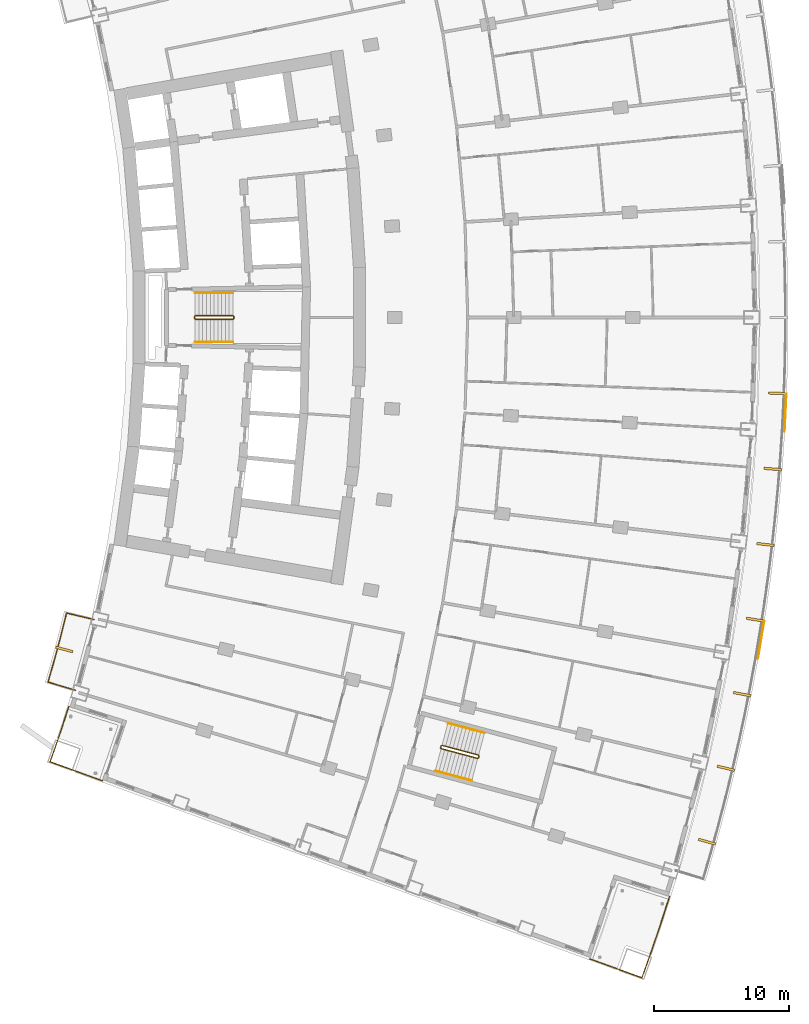
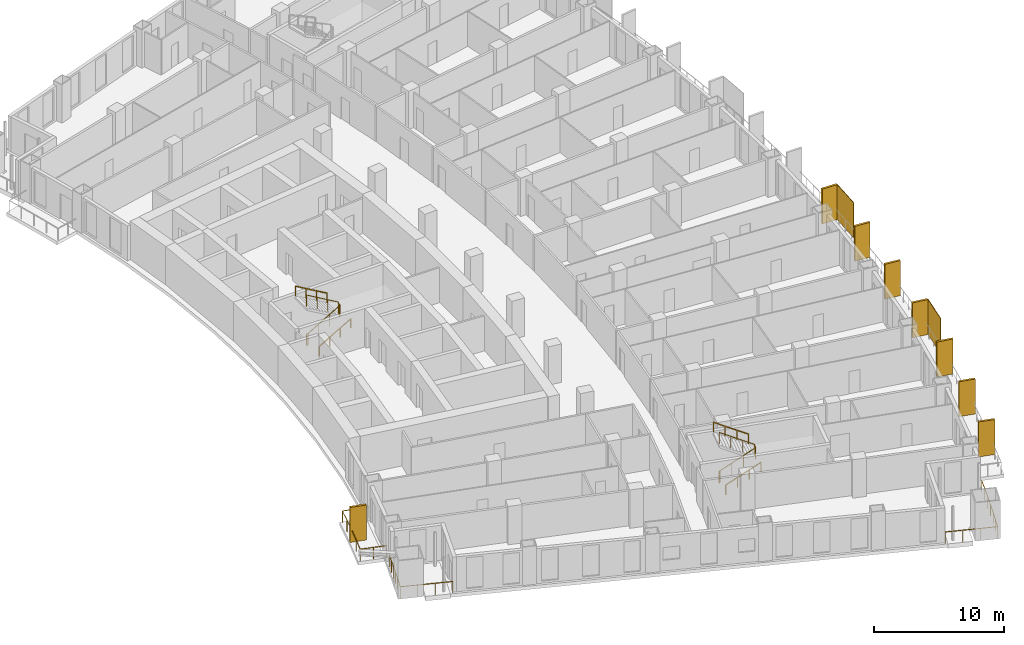
# One storey, part 23 of 25: 10 shading devices, 9 railings.
"""IFC4 building model written with IfcOpenShell, lengths in metres."""

from ifc_helpers import new_model, si_unit, direction, frame, origin, origin_with_axes, origin_2d, place, context, subcontext, project, spatial, rectangle, extrude, material, layer, layer_set, type_object, element, save


model = new_model("IFC4")

# Units and contexts
model_context = context("Model", 3, precision=1e-05, world=origin(), true_north=direction((0.0, 1.0)))
body_context = subcontext(model_context, "Body", "Model", "MODEL_VIEW")
ifc_project = project(units=[si_unit("LENGTHUNIT", "METRE"), si_unit("AREAUNIT", "SQUARE_METRE"), si_unit("VOLUMEUNIT", "CUBIC_METRE"), si_unit("PLANEANGLEUNIT", "RADIAN"), si_unit("MASSUNIT", "GRAM", prefix="KILO")], contexts=[model_context])

# Site, building, storey
site_placement = place(None, origin())
site = spatial("IfcSite", under=ifc_project, at=site_placement, CompositionType="ELEMENT")
building_placement = place(site_placement, origin())
building = spatial("IfcBuilding", under=site, at=building_placement, Name="Alderwake Tower", CompositionType="ELEMENT")
storey_placement = place(building_placement, frame((0.0, 0.0, 68.0)))
storey = spatial("IfcBuildingStorey", under=building, at=storey_placement, Name="L16", CompositionType="ELEMENT", Elevation=68.0)

# Railings
ifc_material_1 = material(Name="Stainless steel 316 rail and posts", Category="steel")
railing_type_1 = type_object("IfcRailingType", Name="Balcony guard 1100", PredefinedType="GUARDRAIL", material=ifc_material_1)
railing_1_placement = place(storey_placement, frame((12.16650390625, 33.435791015625, 0.0)))
element("IfcRailing", 1, at=railing_1_placement, inside=storey, type_object=railing_type_1, Name="Guard BR02", PredefinedType="GUARDRAIL", context=body_context, shape_type="SweptSolid", body=[
    extrude(rectangle(XDim=0.048095703125, YDim=0.048095703125, at=origin_2d()), frame((0.0, 0.0, 1.076171875), z_axis=(-0.958091458885, 0.286462486918, 0.0), x_axis=(-0.286462486918, -0.958091458885, 0.0)), (0.0, 0.0, 1.0), 2.099853515625),
    extrude(rectangle(XDim=0.048095703125, YDim=0.048095703125, at=origin_2d()), frame((-2.011962890625, 0.6015625, 1.076171875), z_axis=(0.279963157487, 0.960010744966, 0.0), x_axis=(-0.960010744966, 0.279963157487, 0.0)), (0.0, 0.0, 1.0), 1.272216796875),
    extrude(rectangle(XDim=0.048095703125, YDim=0.048095703125, at=origin_2d()), frame((-1.65576171875, 1.822998046875, 1.076171875), z_axis=(0.266487604617, 0.963838345671, 0.0), x_axis=(-0.963838345671, 0.266487604617, 0.0)), (0.0, 0.0, 1.0), 1.372314453125),
    extrude(rectangle(XDim=0.048095703125, YDim=0.048095703125, at=origin_2d()), frame((-1.2900390625, 3.145751953125, 1.076171875), z_axis=(0.252487086228, 0.967600264204, 0.0), x_axis=(-0.967600264204, 0.252487086228, 0.0)), (0.0, 0.0, 1.0), 1.3720703125),
    extrude(rectangle(XDim=0.048095703125, YDim=0.048095703125, at=origin_2d()), frame((-0.943603515625, 4.473388671875, 1.076171875), z_axis=(0.238877101641, 0.971049808358, 0.0), x_axis=(-0.971049808358, 0.238877101641, 0.0)), (0.0, 0.0, 1.0), 1.2724609375),
    extrude(rectangle(XDim=0.048095703125, YDim=0.048095703125, at=origin_2d()), frame((-0.6396484375, 5.708984375, 1.076171875), z_axis=(0.972646310656, -0.232291098337, 0.0), x_axis=(0.232291098337, 0.972646310656, 0.0)), (0.0, 0.0, 1.0), 2.099853515625),
    extrude(rectangle(XDim=0.0419921875, YDim=0.0419921875, at=origin_2d()), frame((0.0, 0.0, 0.0), z_axis=(0.0, 0.0, 1.0), x_axis=(-0.958091458885, 0.286462486918, 0.0)), (0.0, 0.0, 1.0), 1.052001953125),
    extrude(rectangle(XDim=0.0419921875, YDim=0.0419921875, at=origin_2d()), frame((-1.005859375, 0.30078125, 0.0), z_axis=(0.0, 0.0, 1.0), x_axis=(-0.958091458885, 0.286462486918, 0.0)), (0.0, 0.0, 1.0), 1.052001953125),
    extrude(rectangle(XDim=0.0419921875, YDim=0.0419921875, at=origin_2d()), frame((-2.011962890625, 0.6015625, 0.0), z_axis=(0.0, 0.0, 1.0), x_axis=(0.279963157487, 0.960010744966, 0.0)), (0.0, 0.0, 1.0), 1.052001953125),
    extrude(rectangle(XDim=0.0419921875, YDim=0.0419921875, at=origin_2d()), frame((-1.65576171875, 1.822998046875, 0.0), z_axis=(0.0, 0.0, 1.0), x_axis=(0.266487604617, 0.963838345671, 0.0)), (0.0, 0.0, 1.0), 1.052001953125),
    extrude(rectangle(XDim=0.0419921875, YDim=0.0419921875, at=origin_2d()), frame((-1.2900390625, 3.145751953125, 0.0), z_axis=(0.0, 0.0, 1.0), x_axis=(0.252487086228, 0.967600264204, 0.0)), (0.0, 0.0, 1.0), 1.052001953125),
    extrude(rectangle(XDim=0.0419921875, YDim=0.0419921875, at=origin_2d()), frame((-0.943603515625, 4.473388671875, 0.0), z_axis=(0.0, 0.0, 1.0), x_axis=(0.238877101641, 0.971049808358, 0.0)), (0.0, 0.0, 1.0), 1.052001953125),
    extrude(rectangle(XDim=0.0419921875, YDim=0.0419921875, at=origin_2d()), frame((-0.6396484375, 5.708984375, 0.0), z_axis=(0.0, 0.0, 1.0), x_axis=(0.972646310656, -0.232291098337, 0.0)), (0.0, 0.0, 1.0), 1.052001953125),
    extrude(rectangle(XDim=0.0419921875, YDim=0.0419921875, at=origin_2d()), frame((0.381591796875, 5.465087890625, 0.0), z_axis=(0.0, 0.0, 1.0), x_axis=(0.972646310656, -0.232291098337, 0.0)), (0.0, 0.0, 1.0), 1.052001953125),
    extrude(rectangle(XDim=0.0419921875, YDim=0.0419921875, at=origin_2d()), frame((1.40283203125, 5.22119140625, 0.0), z_axis=(0.0, 0.0, 1.0), x_axis=(0.972646310656, -0.232291098337, 0.0)), (0.0, 0.0, 1.0), 1.052001953125),
])
railing_2_placement = place(storey_placement, frame((56.12060546875, 18.168701171875, 0.0)))
element("IfcRailing", 2, at=railing_2_placement, inside=storey, type_object=railing_type_1, Name="Guard terrace FS", PredefinedType="GUARDRAIL", context=body_context, shape_type="SweptSolid", body=[
    extrude(rectangle(XDim=0.048095703125, YDim=0.048095703125, at=origin_2d()), frame((0.0, 0.0, 1.076171875), z_axis=(-0.307834534449, -0.951439908455, 0.0), x_axis=(0.951439908455, -0.307834534449, 0.0)), (0.0, 0.0, 1.0), 2.281005859375),
    extrude(rectangle(XDim=0.048095703125, YDim=0.048095703125, at=origin_2d()), frame((-0.7021484375, -2.170166015625, 1.076171875), z_axis=(-0.322274982341, -0.946646098475, 0.0), x_axis=(0.946646098475, -0.322274982341, 0.0)), (0.0, 0.0, 1.0), 2.0810546875),
    extrude(rectangle(XDim=0.048095703125, YDim=0.048095703125, at=origin_2d()), frame((-1.372802734375, -4.14013671875, 1.076171875), z_axis=(-0.335680571726, -0.941975877486, 0.0), x_axis=(0.941975877486, -0.335680571726, 0.0)), (0.0, 0.0, 1.0), 1.981201171875),
    extrude(rectangle(XDim=0.048095703125, YDim=0.048095703125, at=origin_2d()), frame((-2.037841796875, -6.00634765625, 1.076171875), z_axis=(-0.939605522223, 0.34225934992, 0.0), x_axis=(-0.34225934992, -0.939605522223, 0.0)), (0.0, 0.0, 1.0), 4.10009765625),
    extrude(rectangle(XDim=0.0419921875, YDim=0.0419921875, at=origin_2d()), frame((0.0, 0.0, 0.0), z_axis=(0.0, 0.0, 1.0), x_axis=(-0.307834534449, -0.951439908455, 0.0)), (0.0, 0.0, 1.0), 1.052001953125),
    extrude(rectangle(XDim=0.0419921875, YDim=0.0419921875, at=origin_2d()), frame((-0.35107421875, -1.0849609375, 0.0), z_axis=(0.0, 0.0, 1.0), x_axis=(-0.307834534449, -0.951439908455, 0.0)), (0.0, 0.0, 1.0), 1.052001953125),
    extrude(rectangle(XDim=0.0419921875, YDim=0.0419921875, at=origin_2d()), frame((-0.7021484375, -2.170166015625, 0.0), z_axis=(0.0, 0.0, 1.0), x_axis=(-0.322274982341, -0.946646098475, 0.0)), (0.0, 0.0, 1.0), 1.052001953125),
    extrude(rectangle(XDim=0.0419921875, YDim=0.0419921875, at=origin_2d()), frame((-1.03759765625, -3.1552734375, 0.0), z_axis=(0.0, 0.0, 1.0), x_axis=(-0.322274982341, -0.946646098475, 0.0)), (0.0, 0.0, 1.0), 1.052001953125),
    extrude(rectangle(XDim=0.0419921875, YDim=0.0419921875, at=origin_2d()), frame((-1.372802734375, -4.14013671875, 0.0), z_axis=(0.0, 0.0, 1.0), x_axis=(-0.335680571726, -0.941975877486, 0.0)), (0.0, 0.0, 1.0), 1.052001953125),
    extrude(rectangle(XDim=0.0419921875, YDim=0.0419921875, at=origin_2d()), frame((-1.705322265625, -5.0732421875, 0.0), z_axis=(0.0, 0.0, 1.0), x_axis=(-0.335680571726, -0.941975877486, 0.0)), (0.0, 0.0, 1.0), 1.052001953125),
    extrude(rectangle(XDim=0.0419921875, YDim=0.0419921875, at=origin_2d()), frame((-2.037841796875, -6.00634765625, 0.0), z_axis=(0.0, 0.0, 1.0), x_axis=(-0.939605522223, 0.34225934992, 0.0)), (0.0, 0.0, 1.0), 1.052001953125),
    extrude(rectangle(XDim=0.0419921875, YDim=0.0419921875, at=origin_2d()), frame((-3.322021484375, -5.53857421875, 0.0), z_axis=(0.0, 0.0, 1.0), x_axis=(-0.939605522223, 0.34225934992, 0.0)), (0.0, 0.0, 1.0), 1.052001953125),
    extrude(rectangle(XDim=0.0419921875, YDim=0.0419921875, at=origin_2d()), frame((-4.606201171875, -5.07080078125, 0.0), z_axis=(0.0, 0.0, 1.0), x_axis=(-0.939605522223, 0.34225934992, 0.0)), (0.0, 0.0, 1.0), 1.052001953125),
    extrude(rectangle(XDim=0.0419921875, YDim=0.0419921875, at=origin_2d()), frame((-5.890380859375, -4.60302734375, 0.0), z_axis=(0.0, 0.0, 1.0), x_axis=(-0.939605522223, 0.34225934992, 0.0)), (0.0, 0.0, 1.0), 1.052001953125),
])
railing_3_placement = place(storey_placement, frame((11.688720703125, 32.218017578125, 0.0)))
element("IfcRailing", 3, at=railing_3_placement, inside=storey, type_object=railing_type_1, Name="Guard terrace RS", PredefinedType="GUARDRAIL", context=body_context, shape_type="SweptSolid", body=[
    extrude(rectangle(XDim=0.048095703125, YDim=0.048095703125, at=origin_2d()), frame((0.0, 0.0, 1.076171875), z_axis=(-0.307479326145, -0.951554761426, 0.0), x_axis=(0.951554761426, -0.307479326145, 0.0)), (0.0, 0.0, 1.0), 1.6015625),
    extrude(rectangle(XDim=0.048095703125, YDim=0.048095703125, at=origin_2d()), frame((-0.492431640625, -1.52392578125, 1.076171875), z_axis=(-0.322283727344, -0.946643121292, 0.0), x_axis=(0.946643121292, -0.322283727344, 0.0)), (0.0, 0.0, 1.0), 1.4013671875),
    extrude(rectangle(XDim=0.048095703125, YDim=0.048095703125, at=origin_2d()), frame((-0.944091796875, -2.8505859375, 1.076171875), z_axis=(-0.335468607403, -0.942051385778, 0.0), x_axis=(0.942051385778, -0.335468607403, 0.0)), (0.0, 0.0, 1.0), 1.30126953125),
    extrude(rectangle(XDim=0.048095703125, YDim=0.048095703125, at=origin_2d()), frame((-1.380615234375, -4.076416015625, 1.076171875), z_axis=(0.939708203232, -0.341977327873, 0.0), x_axis=(0.341977327873, 0.939708203232, 0.0)), (0.0, 0.0, 1.0), 4.10009765625),
    extrude(rectangle(XDim=0.0419921875, YDim=0.0419921875, at=origin_2d()), frame((0.0, 0.0, 0.0), z_axis=(0.0, 0.0, 1.0), x_axis=(-0.307479326145, -0.951554761426, 0.0)), (0.0, 0.0, 1.0), 1.052001953125),
    extrude(rectangle(XDim=0.0419921875, YDim=0.0419921875, at=origin_2d()), frame((-0.24609375, -0.761962890625, 0.0), z_axis=(0.0, 0.0, 1.0), x_axis=(-0.307479326145, -0.951554761426, 0.0)), (0.0, 0.0, 1.0), 1.052001953125),
    extrude(rectangle(XDim=0.0419921875, YDim=0.0419921875, at=origin_2d()), frame((-0.492431640625, -1.52392578125, 0.0), z_axis=(0.0, 0.0, 1.0), x_axis=(-0.322283727344, -0.946643121292, 0.0)), (0.0, 0.0, 1.0), 1.052001953125),
    extrude(rectangle(XDim=0.0419921875, YDim=0.0419921875, at=origin_2d()), frame((-0.71826171875, -2.187255859375, 0.0), z_axis=(0.0, 0.0, 1.0), x_axis=(-0.322283727344, -0.946643121292, 0.0)), (0.0, 0.0, 1.0), 1.052001953125),
    extrude(rectangle(XDim=0.0419921875, YDim=0.0419921875, at=origin_2d()), frame((-0.944091796875, -2.8505859375, 0.0), z_axis=(0.0, 0.0, 1.0), x_axis=(-0.335468607403, -0.942051385778, 0.0)), (0.0, 0.0, 1.0), 1.052001953125),
    extrude(rectangle(XDim=0.0419921875, YDim=0.0419921875, at=origin_2d()), frame((-1.380615234375, -4.076416015625, 0.0), z_axis=(0.0, 0.0, 1.0), x_axis=(0.939708203232, -0.341977327873, 0.0)), (0.0, 0.0, 1.0), 1.052001953125),
    extrude(rectangle(XDim=0.0419921875, YDim=0.0419921875, at=origin_2d()), frame((-0.096435546875, -4.543701171875, 0.0), z_axis=(0.0, 0.0, 1.0), x_axis=(0.939708203232, -0.341977327873, 0.0)), (0.0, 0.0, 1.0), 1.052001953125),
    extrude(rectangle(XDim=0.0419921875, YDim=0.0419921875, at=origin_2d()), frame((1.18798828125, -5.01123046875, 0.0), z_axis=(0.0, 0.0, 1.0), x_axis=(0.939708203232, -0.341977327873, 0.0)), (0.0, 0.0, 1.0), 1.052001953125),
    extrude(rectangle(XDim=0.0419921875, YDim=0.0419921875, at=origin_2d()), frame((2.47216796875, -5.478515625, 0.0), z_axis=(0.0, 0.0, 1.0), x_axis=(0.939708203232, -0.341977327873, 0.0)), (0.0, 0.0, 1.0), 1.052001953125),
])

# Shading devices
ifc_material_2 = material(Name="Bronze anodised aluminium", Category="aluminium")
ifc_layer_1 = layer(ifc_material_2, 0.179931640625)
ifc_layer_set_1 = layer_set([ifc_layer_1], Name="Facade fin 1300")
shading_device_type_1 = type_object("IfcShadingDeviceType", Name="Facade fin 1300", PredefinedType="USERDEFINED", material=ifc_layer_set_1)
for number, where, z_axis, x_axis, name in (
    (4, (58.890869140625, 22.231689453125, 0.0), (0.0, 0.0, 1.0), (0.96318180783, -0.268850897459, 0.0), "Fin"),
    (5, (60.29345703125, 27.66259765625, 0.0), (0.0, 0.0, 1.0), (0.972908790564, -0.231189284448, 0.0), "Fin"),
    (6, (61.48388671875, 33.143798828125, 0.0), (0.0, 0.0, 1.0), (0.981163751315, -0.193177879441, 0.0), "Fin"),
    (7, (62.4580078125, 38.65283203125, 0.0), (0.0, 0.0, 1.0), (0.987918787879, -0.154972476771, 0.0), "Fin"),
    (8, (63.21923828125, 44.2099609375, 0.0), (0.0, 0.0, 1.0), (0.993198315083, -0.116434990084, 0.0), "Fin"),
    (9, (63.763916015625, 49.79248046875, 0.0), (0.0, 0.0, 1.0), (0.996975122026, -0.077721335943, 0.0), "Fin"),
    (10, (64.0908203125, 55.39208984375, 0.0), (0.0, 0.0, 1.0), (0.999243494356, -0.038890088543, 0.0), "Fin"),
    (11, (11.359375, 36.45166015625, 0.0), (0.0, 0.0, 1.0), (0.965744448231, -0.259495010957, 0.0), "Fin"),
):
    element("IfcShadingDevice", number, at=place(storey_placement, frame(where, z_axis=z_axis, x_axis=x_axis)), inside=storey, type_object=shading_device_type_1, Name=name, ObjectType="FIN", PredefinedType="USERDEFINED", context=body_context, shape_type="SweptSolid", body=[
        extrude(rectangle(XDim=1.300048828125, YDim=0.179931640625, at=origin_2d()), origin(), (0.0, 0.0, 1.0), 3.280029296875),
    ])
ifc_material_3 = material(Name="Perforated bronze anodised aluminium", Category="aluminium")
ifc_layer_2 = layer(ifc_material_3, 0.050048828125)
ifc_layer_set_2 = layer_set([ifc_layer_2], Name="Perforated screen panel")
shading_device_type_2 = type_object("IfcShadingDeviceType", Name="Perforated screen panel", PredefinedType="USERDEFINED", material=ifc_layer_set_2)
for number, where, z_axis, x_axis, name in (
    (12, (62.8935546875, 37.162109375, 0.0), (0.0, 0.0, 1.0), (0.986369013299, -0.164548380739, 0.0), "Screen panel"),
    (13, (64.697021484375, 53.962158203125, 0.0), (0.0, 0.0, 1.0), (0.998819231138, -0.048581308217, 0.0), "Screen panel"),
):
    element("IfcShadingDevice", number, at=place(storey_placement, frame(where, z_axis=z_axis, x_axis=x_axis)), inside=storey, type_object=shading_device_type_2, Name=name, ObjectType="SCREEN", PredefinedType="USERDEFINED", context=body_context, shape_type="SweptSolid", body=[
        extrude(rectangle(XDim=0.050048828125, YDim=2.810546875, at=origin_2d()), origin(), (0.0, 0.0, 1.0), 3.280029296875),
    ])

# Railings
ifc_material_4 = material(Name="Stainless steel guard", Category="steel")
railing_type_2 = type_object("IfcRailingType", Name="Stair guard 1100", PredefinedType="GUARDRAIL", material=ifc_material_4)
railing_4_placement = place(storey_placement, frame((20.989990234375, 60.925048828125, 0.0)))
element("IfcRailing", 14, at=railing_4_placement, inside=storey, type_object=railing_type_2, Name="L16 ST-B stair guard 1", PredefinedType="GUARDRAIL", context=body_context, shape_type="SweptSolid", body=[
    extrude(rectangle(XDim=0.048095703125, YDim=0.048095703125, at=origin_2d()), frame((0.0, 0.0, 1.076171875), z_axis=(0.0, 1.0, 0.0), x_axis=(-1.0, 0.0, 0.0)), (0.0, 0.0, 1.0), 0.14990234375),
    extrude(rectangle(XDim=0.048095703125, YDim=0.048095703125, at=origin_2d()), frame((0.0, 0.14990234375, 1.076171875), z_axis=(0.190199549216, -0.759870394187, 0.621627795), x_axis=(0.970072785993, 0.242814311512, 0.0)), (0.0, 0.0, 1.0), 0.26318359375),
    extrude(rectangle(XDim=0.048095703125, YDim=0.048095703125, at=origin_2d()), frame((0.050048828125, -0.050048828125, 1.23974609375), z_axis=(0.863360870873, 0.0, 0.504586966384), x_axis=(0.0, 1.0, 0.0)), (0.0, 0.0, 1.0), 3.2431640625),
    extrude(rectangle(XDim=0.048095703125, YDim=0.048095703125, at=origin_2d()), frame((2.85009765625, -0.050048828125, 2.8759765625), z_axis=(0.705375805398, 0.708833529934, 0.0), x_axis=(-0.708833529934, 0.705375805398, 0.0)), (0.0, 0.0, 1.0), 0.070556640625),
    extrude(rectangle(XDim=0.048095703125, YDim=0.048095703125, at=origin_2d()), frame((2.89990234375, 0.0, 2.8759765625), z_axis=(0.0, 1.0, 0.0), x_axis=(-1.0, 0.0, 0.0)), (0.0, 0.0, 1.0), 0.14990234375),
    extrude(rectangle(XDim=0.048095703125, YDim=0.048095703125, at=origin_2d()), frame((2.89990234375, 0.14990234375, 2.8759765625), z_axis=(-0.279546231943, 0.280916556609, 0.91811752648), x_axis=(-0.708833529934, -0.705375805398, 0.0)), (0.0, 0.0, 1.0), 0.17822265625),
    extrude(rectangle(XDim=0.048095703125, YDim=0.048095703125, at=origin_2d()), frame((2.85009765625, 0.199951171875, 3.03955078125), z_axis=(-0.863360870873, 0.0, 0.504586966384), x_axis=(0.0, -1.0, 0.0)), (0.0, 0.0, 1.0), 3.2431640625),
    extrude(rectangle(XDim=0.0419921875, YDim=0.0419921875, at=origin_2d()), frame((0.0, 0.0, 0.0), z_axis=(0.0, 0.0, 1.0), x_axis=(0.0, 1.0, 0.0)), (0.0, 0.0, 1.0), 1.052001953125),
    extrude(rectangle(XDim=0.0419921875, YDim=0.0419921875, at=origin_2d()), frame((0.0, 0.14990234375, 0.0), z_axis=(0.0, 0.0, 1.0), x_axis=(0.242814311512, -0.970072785993, 0.0)), (0.0, 0.0, 1.0), 1.052001953125),
    extrude(rectangle(XDim=0.0419921875, YDim=0.0419921875, at=origin_2d()), frame((0.050048828125, -0.050048828125, 0.16357421875), z_axis=(0.0, 0.0, 1.0), x_axis=(1.0, 0.0, 0.0)), (0.0, 0.0, 1.0), 1.052001953125),
    extrude(rectangle(XDim=0.0419921875, YDim=0.0419921875, at=origin_2d()), frame((0.9833984375, -0.050048828125, 0.708984375), z_axis=(0.0, 0.0, 1.0), x_axis=(1.0, 0.0, 0.0)), (0.0, 0.0, 1.0), 1.052001953125),
    extrude(rectangle(XDim=0.0419921875, YDim=0.0419921875, at=origin_2d()), frame((1.916748046875, -0.050048828125, 1.254638671875), z_axis=(0.0, 0.0, 1.0), x_axis=(1.0, 0.0, 0.0)), (0.0, 0.0, 1.0), 1.052001953125),
    extrude(rectangle(XDim=0.0419921875, YDim=0.0419921875, at=origin_2d()), frame((2.85009765625, -0.050048828125, 1.800048828125), z_axis=(0.0, 0.0, 1.0), x_axis=(0.705375805398, 0.708833529934, 0.0)), (0.0, 0.0, 1.0), 1.052001953125),
    extrude(rectangle(XDim=0.0419921875, YDim=0.0419921875, at=origin_2d()), frame((2.89990234375, 0.0, 1.800048828125), z_axis=(0.0, 0.0, 1.0), x_axis=(0.0, 1.0, 0.0)), (0.0, 0.0, 1.0), 1.052001953125),
    extrude(rectangle(XDim=0.0419921875, YDim=0.0419921875, at=origin_2d()), frame((2.89990234375, 0.14990234375, 1.800048828125), z_axis=(0.0, 0.0, 1.0), x_axis=(-0.705375805398, 0.708833529934, 0.0)), (0.0, 0.0, 1.0), 1.052001953125),
    extrude(rectangle(XDim=0.0419921875, YDim=0.0419921875, at=origin_2d()), frame((2.85009765625, 0.199951171875, 1.963623046875), z_axis=(0.0, 0.0, 1.0), x_axis=(-1.0, 0.0, 0.0)), (0.0, 0.0, 1.0), 1.052001953125),
    extrude(rectangle(XDim=0.0419921875, YDim=0.0419921875, at=origin_2d()), frame((1.916748046875, 0.199951171875, 2.509033203125), z_axis=(0.0, 0.0, 1.0), x_axis=(-1.0, 0.0, 0.0)), (0.0, 0.0, 1.0), 1.052001953125),
    extrude(rectangle(XDim=0.0419921875, YDim=0.0419921875, at=origin_2d()), frame((0.9833984375, 0.199951171875, 3.0546875), z_axis=(0.0, 0.0, 1.0), x_axis=(-1.0, 0.0, 0.0)), (0.0, 0.0, 1.0), 1.052001953125),
    extrude(rectangle(XDim=0.0419921875, YDim=0.0419921875, at=origin_2d()), frame((0.050048828125, 0.199951171875, 3.60009765625), z_axis=(0.0, 0.0, 1.0), x_axis=(-1.0, 0.0, 0.0)), (0.0, 0.0, 1.0), 1.052001953125),
])
railing_5_placement = place(storey_placement, frame((39.1943359375, 29.17431640625, 0.0)))
element("IfcRailing", 15, at=railing_5_placement, inside=storey, type_object=railing_type_2, Name="L16 ST-C stair guard 1", PredefinedType="GUARDRAIL", context=body_context, shape_type="SweptSolid", body=[
    extrude(rectangle(XDim=0.048095703125, YDim=0.048095703125, at=origin_2d()), frame((0.0, 0.0, 1.076171875), z_axis=(0.257459803502, 0.966289009345, 0.0), x_axis=(-0.966289009345, 0.257459803502, 0.0)), (0.0, 0.0, 1.0), 0.14990234375),
    extrude(rectangle(XDim=0.048095703125, YDim=0.048095703125, at=origin_2d()), frame((0.03857421875, 0.144775390625, 1.076171875), z_axis=(-0.012062893862, -0.783160186125, 0.621702991355), x_axis=(0.999881397308, -0.015401016783, 0.0)), (0.0, 0.0, 1.0), 0.26318359375),
    extrude(rectangle(XDim=0.048095703125, YDim=0.048095703125, at=origin_2d()), frame((0.035400390625, -0.061279296875, 1.23974609375), z_axis=(0.834281824786, -0.222214197128, 0.504573768072), x_axis=(0.257380452725, 0.966310148221, 0.0)), (0.0, 0.0, 1.0), 3.2431640625),
    extrude(rectangle(XDim=0.048095703125, YDim=0.048095703125, at=origin_2d()), frame((2.7412109375, -0.781982421875, 2.8759765625), z_axis=(0.865031189262, 0.501718089772, 0.0), x_axis=(-0.501718089772, 0.865031189262, 0.0)), (0.0, 0.0, 1.0), 0.070556640625),
    extrude(rectangle(XDim=0.048095703125, YDim=0.048095703125, at=origin_2d()), frame((2.80224609375, -0.74658203125, 2.8759765625), z_axis=(0.257055032184, 0.966396766566, 0.0), x_axis=(-0.966396766566, 0.257055032184, 0.0)), (0.0, 0.0, 1.0), 0.150146484375),
    extrude(rectangle(XDim=0.048095703125, YDim=0.048095703125, at=origin_2d()), frame((2.8408203125, -0.6015625, 2.8759765625), z_axis=(-0.198625291617, 0.343827228937, 0.91778583023), x_axis=(-0.865898279276, -0.500220121494, 0.0)), (0.0, 0.0, 1.0), 0.17822265625),
    extrude(rectangle(XDim=0.048095703125, YDim=0.048095703125, at=origin_2d()), frame((2.805419921875, -0.540283203125, 3.03955078125), z_axis=(-0.834258940753, 0.22222815314, 0.504605457487), x_axis=(-0.257402139082, -0.966304371715, 0.0)), (0.0, 0.0, 1.0), 3.2431640625),
    extrude(rectangle(XDim=0.0419921875, YDim=0.0419921875, at=origin_2d()), frame((0.0, 0.0, 0.0), z_axis=(0.0, 0.0, 1.0), x_axis=(0.257459803502, 0.966289009345, 0.0)), (0.0, 0.0, 1.0), 1.052001953125),
    extrude(rectangle(XDim=0.0419921875, YDim=0.0419921875, at=origin_2d()), frame((0.03857421875, 0.144775390625, 0.0), z_axis=(0.0, 0.0, 1.0), x_axis=(-0.015401016783, -0.999881397308, 0.0)), (0.0, 0.0, 1.0), 1.052001953125),
    extrude(rectangle(XDim=0.0419921875, YDim=0.0419921875, at=origin_2d()), frame((0.035400390625, -0.061279296875, 0.16357421875), z_axis=(0.0, 0.0, 1.0), x_axis=(0.966310148221, -0.257380452725, 0.0)), (0.0, 0.0, 1.0), 1.052001953125),
    extrude(rectangle(XDim=0.0419921875, YDim=0.0419921875, at=origin_2d()), frame((0.937255859375, -0.301513671875, 0.708984375), z_axis=(0.0, 0.0, 1.0), x_axis=(0.966310148221, -0.257380452725, 0.0)), (0.0, 0.0, 1.0), 1.052001953125),
    extrude(rectangle(XDim=0.0419921875, YDim=0.0419921875, at=origin_2d()), frame((1.83935546875, -0.541748046875, 1.254638671875), z_axis=(0.0, 0.0, 1.0), x_axis=(0.966310148221, -0.257380452725, 0.0)), (0.0, 0.0, 1.0), 1.052001953125),
    extrude(rectangle(XDim=0.0419921875, YDim=0.0419921875, at=origin_2d()), frame((2.7412109375, -0.781982421875, 1.800048828125), z_axis=(0.0, 0.0, 1.0), x_axis=(0.865031189262, 0.501718089772, 0.0)), (0.0, 0.0, 1.0), 1.052001953125),
    extrude(rectangle(XDim=0.0419921875, YDim=0.0419921875, at=origin_2d()), frame((2.80224609375, -0.74658203125, 1.800048828125), z_axis=(0.0, 0.0, 1.0), x_axis=(0.257055032184, 0.966396766566, 0.0)), (0.0, 0.0, 1.0), 1.052001953125),
    extrude(rectangle(XDim=0.0419921875, YDim=0.0419921875, at=origin_2d()), frame((2.8408203125, -0.6015625, 1.800048828125), z_axis=(0.0, 0.0, 1.0), x_axis=(-0.500220121494, 0.865898279276, 0.0)), (0.0, 0.0, 1.0), 1.052001953125),
    extrude(rectangle(XDim=0.0419921875, YDim=0.0419921875, at=origin_2d()), frame((2.805419921875, -0.540283203125, 1.963623046875), z_axis=(0.0, 0.0, 1.0), x_axis=(-0.966304371715, 0.257402139082, 0.0)), (0.0, 0.0, 1.0), 1.052001953125),
    extrude(rectangle(XDim=0.0419921875, YDim=0.0419921875, at=origin_2d()), frame((1.903564453125, -0.300048828125, 2.509033203125), z_axis=(0.0, 0.0, 1.0), x_axis=(-0.966304371715, 0.257402139082, 0.0)), (0.0, 0.0, 1.0), 1.052001953125),
    extrude(rectangle(XDim=0.0419921875, YDim=0.0419921875, at=origin_2d()), frame((1.001708984375, -0.059814453125, 3.0546875), z_axis=(0.0, 0.0, 1.0), x_axis=(-0.966304371715, 0.257402139082, 0.0)), (0.0, 0.0, 1.0), 1.052001953125),
    extrude(rectangle(XDim=0.0419921875, YDim=0.0419921875, at=origin_2d()), frame((0.099853515625, 0.180419921875, 3.60009765625), z_axis=(0.0, 0.0, 1.0), x_axis=(-0.966304371715, 0.257402139082, 0.0)), (0.0, 0.0, 1.0), 1.052001953125),
])
ifc_material_5 = material(Name="Stainless steel handrail", Category="steel")
railing_type_3 = type_object("IfcRailingType", Name="Stair handrail 900", PredefinedType="HANDRAIL", material=ifc_material_5)
railing_6_placement = place(storey_placement, frame((21.0400390625, 59.175048828125, 0.16357421875)))
element("IfcRailing", 16, at=railing_6_placement, inside=storey, type_object=railing_type_3, Name="L16 ST-B stair handrail 1", PredefinedType="HANDRAIL", context=body_context, shape_type="SweptSolid", body=[
    extrude(rectangle(XDim=0.048095703125, YDim=0.048095703125, at=origin_2d()), frame((0.0, 0.0, 0.8759765625), z_axis=(0.863360870873, 0.0, 0.504586966384), x_axis=(0.0, 1.0, 0.0)), (0.0, 0.0, 1.0), 3.2431640625),
    extrude(rectangle(XDim=0.0419921875, YDim=0.0419921875, at=origin_2d()), origin_with_axes(), (0.0, 0.0, 1.0), 0.851806640625),
    extrude(rectangle(XDim=0.0419921875, YDim=0.0419921875, at=origin_2d()), frame((0.933349609375, 0.0, 0.54541015625), z_axis=(0.0, 0.0, 1.0), x_axis=(1.0, 0.0, 0.0)), (0.0, 0.0, 1.0), 0.851806640625),
    extrude(rectangle(XDim=0.0419921875, YDim=0.0419921875, at=origin_2d()), frame((1.86669921875, 0.0, 1.091064453125), z_axis=(0.0, 0.0, 1.0), x_axis=(1.0, 0.0, 0.0)), (0.0, 0.0, 1.0), 0.851806640625),
    extrude(rectangle(XDim=0.0419921875, YDim=0.0419921875, at=origin_2d()), frame((2.800048828125, 0.0, 1.636474609375), z_axis=(0.0, 0.0, 1.0), x_axis=(1.0, 0.0, 0.0)), (0.0, 0.0, 1.0), 0.851806640625),
])
railing_7_placement = place(storey_placement, frame((23.840087890625, 62.824951171875, 1.963623046875)))
element("IfcRailing", 17, at=railing_7_placement, inside=storey, type_object=railing_type_3, Name="L16 ST-B stair handrail 2", PredefinedType="HANDRAIL", context=body_context, shape_type="SweptSolid", body=[
    extrude(rectangle(XDim=0.048095703125, YDim=0.048095703125, at=origin_2d()), frame((0.0, 0.0, 0.8759765625), z_axis=(-0.863360870873, 0.0, 0.504586966384), x_axis=(0.0, -1.0, 0.0)), (0.0, 0.0, 1.0), 3.2431640625),
    extrude(rectangle(XDim=0.0419921875, YDim=0.0419921875, at=origin_2d()), frame((0.0, 0.0, 0.0), z_axis=(0.0, 0.0, 1.0), x_axis=(-1.0, 0.0, 0.0)), (0.0, 0.0, 1.0), 0.851806640625),
    extrude(rectangle(XDim=0.0419921875, YDim=0.0419921875, at=origin_2d()), frame((-0.933349609375, 0.0, 0.54541015625), z_axis=(0.0, 0.0, 1.0), x_axis=(-1.0, 0.0, 0.0)), (0.0, 0.0, 1.0), 0.851806640625),
    extrude(rectangle(XDim=0.0419921875, YDim=0.0419921875, at=origin_2d()), frame((-1.86669921875, 0.0, 1.091064453125), z_axis=(0.0, 0.0, 1.0), x_axis=(-1.0, 0.0, 0.0)), (0.0, 0.0, 1.0), 0.851806640625),
    extrude(rectangle(XDim=0.0419921875, YDim=0.0419921875, at=origin_2d()), frame((-2.800048828125, 0.0, 1.636474609375), z_axis=(0.0, 0.0, 1.0), x_axis=(-1.0, 0.0, 0.0)), (0.0, 0.0, 1.0), 0.851806640625),
])
railing_8_placement = place(storey_placement, frame((38.792236328125, 27.47021484375, 0.16357421875)))
element("IfcRailing", 18, at=railing_8_placement, inside=storey, type_object=railing_type_3, Name="L16 ST-C stair handrail 1", PredefinedType="HANDRAIL", context=body_context, shape_type="SweptSolid", body=[
    extrude(rectangle(XDim=0.048095703125, YDim=0.048095703125, at=origin_2d()), frame((0.0, 0.0, 0.8759765625), z_axis=(0.834272895437, -0.222156588561, 0.504613898043), x_axis=(0.25732071773, 0.966326056891, 0.0)), (0.0, 0.0, 1.0), 3.242919921875),
    extrude(rectangle(XDim=0.0419921875, YDim=0.0419921875, at=origin_2d()), frame((0.0, 0.0, 0.0), z_axis=(0.0, 0.0, 1.0), x_axis=(0.966326056891, -0.25732071773, 0.0)), (0.0, 0.0, 1.0), 0.851806640625),
    extrude(rectangle(XDim=0.0419921875, YDim=0.0419921875, at=origin_2d()), frame((0.90185546875, -0.240234375, 0.54541015625), z_axis=(0.0, 0.0, 1.0), x_axis=(0.966326056891, -0.25732071773, 0.0)), (0.0, 0.0, 1.0), 0.851806640625),
    extrude(rectangle(XDim=0.0419921875, YDim=0.0419921875, at=origin_2d()), frame((1.8037109375, -0.480224609375, 1.091064453125), z_axis=(0.0, 0.0, 1.0), x_axis=(0.966326056891, -0.25732071773, 0.0)), (0.0, 0.0, 1.0), 0.851806640625),
    extrude(rectangle(XDim=0.0419921875, YDim=0.0419921875, at=origin_2d()), frame((2.70556640625, -0.720458984375, 1.636474609375), z_axis=(0.0, 0.0, 1.0), x_axis=(0.966326056891, -0.25732071773, 0.0)), (0.0, 0.0, 1.0), 0.851806640625),
])
railing_9_placement = place(storey_placement, frame((42.437255859375, 30.276611328125, 1.963623046875)))
element("IfcRailing", 19, at=railing_9_placement, inside=storey, type_object=railing_type_3, Name="L16 ST-C stair handrail 2", PredefinedType="HANDRAIL", context=body_context, shape_type="SweptSolid", body=[
    extrude(rectangle(XDim=0.048095703125, YDim=0.048095703125, at=origin_2d()), frame((0.0, 0.0, 0.8759765625), z_axis=(-0.834258940753, 0.22222815314, 0.504605457487), x_axis=(-0.257402139082, -0.966304371715, 0.0)), (0.0, 0.0, 1.0), 3.2431640625),
    extrude(rectangle(XDim=0.0419921875, YDim=0.0419921875, at=origin_2d()), frame((0.0, 0.0, 0.0), z_axis=(0.0, 0.0, 1.0), x_axis=(-0.966304371715, 0.257402139082, 0.0)), (0.0, 0.0, 1.0), 0.851806640625),
    extrude(rectangle(XDim=0.0419921875, YDim=0.0419921875, at=origin_2d()), frame((-0.90185546875, 0.240234375, 0.54541015625), z_axis=(0.0, 0.0, 1.0), x_axis=(-0.966304371715, 0.257402139082, 0.0)), (0.0, 0.0, 1.0), 0.851806640625),
    extrude(rectangle(XDim=0.0419921875, YDim=0.0419921875, at=origin_2d()), frame((-1.8037109375, 0.48046875, 1.091064453125), z_axis=(0.0, 0.0, 1.0), x_axis=(-0.966304371715, 0.257402139082, 0.0)), (0.0, 0.0, 1.0), 0.851806640625),
    extrude(rectangle(XDim=0.0419921875, YDim=0.0419921875, at=origin_2d()), frame((-2.70556640625, 0.720703125, 1.636474609375), z_axis=(0.0, 0.0, 1.0), x_axis=(-0.966304371715, 0.257402139082, 0.0)), (0.0, 0.0, 1.0), 0.851806640625),
])

save(model, "model.ifc")
